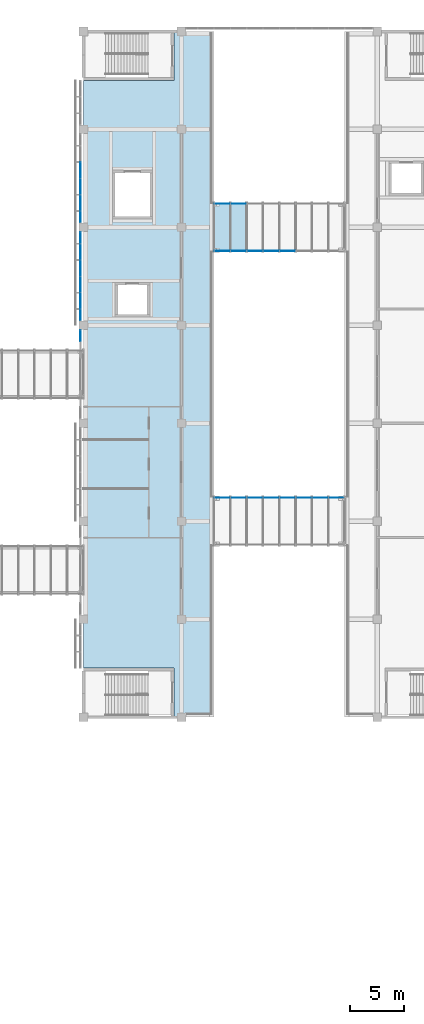
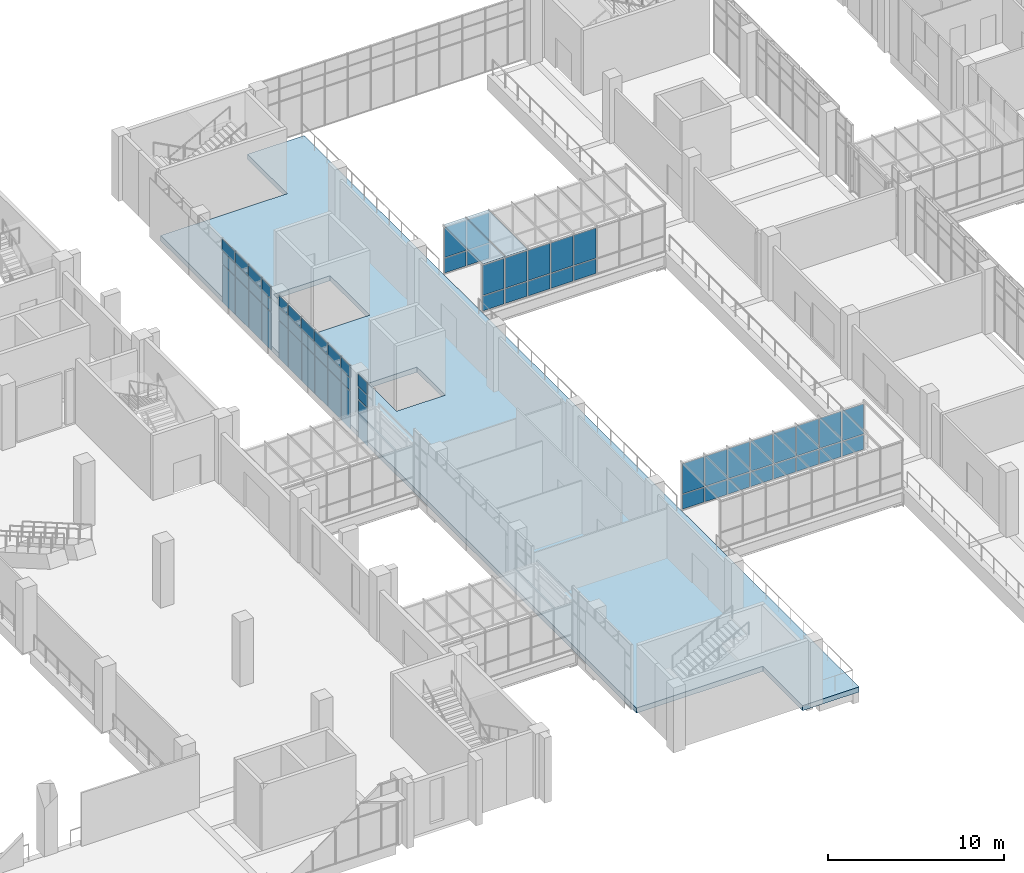
# One storey, part 46 of 88: 65 plates, 1 slab, 7 elements without a shape of their own.
"""IFC4 building model written with IfcOpenShell, lengths in metres."""

from ifc_helpers import new_model, si_unit, direction, frame, origin, origin_2d, place, context, subcontext, project, spatial, polyline, rectangle, outline, extrude, material, layer, layer_set, type_object, element, aggregate, save


model = new_model("IFC4")

# Units and contexts
model_context = context("Model", 3, precision=1e-05, world=origin(), true_north=direction((0.0, 1.0)))
body_context = subcontext(model_context, "Body", "Model", "MODEL_VIEW")
ifc_project = project(units=[si_unit("LENGTHUNIT", "METRE"), si_unit("AREAUNIT", "SQUARE_METRE"), si_unit("VOLUMEUNIT", "CUBIC_METRE"), si_unit("PLANEANGLEUNIT", "RADIAN"), si_unit("MASSUNIT", "GRAM", prefix="KILO")], contexts=[model_context])

# Site, building, storey
site_placement = place(None, origin())
site = spatial("IfcSite", under=ifc_project, at=site_placement, CompositionType="ELEMENT")
building_placement = place(site_placement, origin())
building = spatial("IfcBuilding", under=site, at=building_placement, Name="Guidao Yard Department Store", CompositionType="ELEMENT")
storey_placement = place(building_placement, frame((0.0, 0.0, 6.0)))
storey = spatial("IfcBuildingStorey", under=building, at=storey_placement, Name="L01", CompositionType="ELEMENT", Elevation=6.0)

# Curtain wall, plates
ifc_material_1 = material(Name="Aluminium and glass", Category="aluminium")
ifc_layer_1 = layer(ifc_material_1, 0.159912109375)
ifc_layer_set_1 = layer_set([ifc_layer_1], Name="Bridge glazing CW5 1500 module")
curtain_wall_type_1 = type_object("IfcCurtainWallType", Name="Bridge glazing CW5 1500 module", PredefinedType="NOTDEFINED", material=ifc_layer_set_1)
curtain_wall_1_placement = place(storey_placement, origin())
curtain_wall_1 = element("IfcCurtainWall", 1, at=curtain_wall_1_placement, inside=storey, type_object=curtain_wall_type_1, Name="Bridge roof glazing BR10", PredefinedType="NOTDEFINED")
ifc_material_2 = material(Name="Laminated glass", Category="glass")
ifc_layer_2 = layer(ifc_material_2, 0.017578125)
ifc_layer_set_2 = layer_set([ifc_layer_2], Name="Bridge roof glass BG1 laminated 8+8 fritted")
plate_type_1 = type_object("IfcPlateType", Name="Bridge roof glass BG1 laminated 8+8 fritted", PredefinedType="CURTAIN_PANEL", material=ifc_layer_set_2)
plate_1_placement = place(storey_placement, frame((84.75, 90.0, 3.34130859375), z_axis=(0.0, 0.0, 1.0), x_axis=(1.0, 0.0, 0.0)))
plate_1 = element("IfcPlate", 2, at=plate_1_placement, type_object=plate_type_1, Name="Bridge roof glass BR10", PredefinedType="CURTAIN_PANEL", context=body_context, shape_type="SweptSolid", body=[
    extrude(rectangle(XDim=1.43994140625, YDim=4.5, at=origin_2d()), origin(), (0.0, 0.0, 1.0), 0.017578125),
])
plate_2_placement = place(storey_placement, frame((86.25, 90.0, 3.34130859375), z_axis=(0.0, 0.0, 1.0), x_axis=(1.0, 0.0, 0.0)))
plate_2 = element("IfcPlate", 3, at=plate_2_placement, type_object=plate_type_1, Name="Bridge roof glass BR10", PredefinedType="CURTAIN_PANEL", context=body_context, shape_type="SweptSolid", body=[
    extrude(rectangle(XDim=1.43994140625, YDim=4.5, at=origin_2d()), origin(), (0.0, 0.0, 1.0), 0.017578125),
])
aggregate(curtain_wall_1, [plate_1, plate_2])

# Slab
ifc_material_3 = material(Name="Concrete C35", Category="concrete")
ifc_layer_3 = layer(ifc_material_3, 0.35009765625)
ifc_layer_set_3 = layer_set([ifc_layer_3], Name="Gallery floor slab 350 C35")
slab_type = type_object("IfcSlabType", Name="Gallery floor slab 350 C35", PredefinedType="FLOOR", material=ifc_layer_set_3)
slab_placement = place(storey_placement, frame((0.0, 0.0, -0.35009765625)))
element("IfcSlab", 4, at=slab_placement, inside=storey, type_object=slab_type, Name="Slab L01-W", PredefinedType="FLOOR", context=body_context, shape_type="SweptSolid", body=[
    extrude(outline(polyline([(80.300048828125, 103.5), (80.300048828125, 108.0), (81.0, 108.0), (84.0, 108.0), (84.0, 92.25), (84.0, 87.75), (84.0, 65.25), (84.0, 60.75), (84.0, 45.0), (81.0, 45.0), (80.300048828125, 45.0), (80.300048828125, 49.5), (72.0, 49.5), (72.0, 103.5), (80.300048828125, 103.5)]), holes=[polyline([(78.10009765625, 81.75), (78.10009765625, 84.949951171875), (74.89990234375, 84.949951171875), (74.89990234375, 81.75), (78.10009765625, 81.75)]), polyline([(78.35009765625, 90.75), (78.35009765625, 95.25), (74.64990234375, 95.25), (74.64990234375, 90.75), (78.35009765625, 90.75)])]), origin(), (0.0, 0.0, 1.0), 0.35009765625),
])

# Curtain wall, plate
ifc_material_4 = material(Name="Aluminium and glass", Category="aluminium")
ifc_layer_4 = layer(ifc_material_4, 0.159912109375)
ifc_layer_set_4 = layer_set([ifc_layer_4], Name="Shopfront curtain wall CW1 1500 module")
curtain_wall_type_2 = type_object("IfcCurtainWallType", Name="Shopfront curtain wall CW1 1500 module", PredefinedType="NOTDEFINED", material=ifc_layer_set_4)
curtain_wall_2_placement = place(storey_placement, origin())
curtain_wall_2 = element("IfcCurtainWall", 5, at=curtain_wall_2_placement, inside=storey, type_object=curtain_wall_type_2, Name="Arcade shop front", PredefinedType="NOTDEFINED")
ifc_material_5 = material(Name="Aluminium 6063-T5 faced insulated spandrel", Category="aluminium")
ifc_layer_5 = layer(ifc_material_5, 0.06005859375)
ifc_layer_set_5 = layer_set([ifc_layer_5], Name="Spandrel panel SP1 insulated opaque")
plate_type_2 = type_object("IfcPlateType", Name="Spandrel panel SP1 insulated opaque", PredefinedType="CURTAIN_PANEL", material=ifc_layer_set_5)
plate_3_placement = place(storey_placement, frame((71.719970703125, 80.034912109375, 3.6298828125), z_axis=(0.0, 0.0, 1.0), x_axis=(0.0, 1.0, 0.0)))
plate_3 = element("IfcPlate", 6, at=plate_3_placement, type_object=plate_type_2, Name="CW-AS-L01-08 panel 2.3", PredefinedType="CURTAIN_PANEL", context=body_context, shape_type="SweptSolid", body=[
    extrude(rectangle(XDim=1.010009765625, YDim=0.06005859375, at=origin_2d()), origin(), (0.0, 0.0, 1.0), 0.81005859375),
])

# Curtain wall, plates
curtain_wall_3_placement = place(storey_placement, origin())
curtain_wall_3 = element("IfcCurtainWall", 7, at=curtain_wall_3_placement, inside=storey, type_object=curtain_wall_type_2, Name="Arcade shop front", PredefinedType="NOTDEFINED")
plate_4_placement = place(storey_placement, frame((71.719970703125, 81.965087890625, 3.6298828125), z_axis=(0.0, 0.0, 1.0), x_axis=(0.0, 1.0, 0.0)))
plate_4 = element("IfcPlate", 8, at=plate_4_placement, type_object=plate_type_2, Name="CW-AS-L01-09 panel 1.3", PredefinedType="CURTAIN_PANEL", context=body_context, shape_type="SweptSolid", body=[
    extrude(rectangle(XDim=1.010009765625, YDim=0.06005859375, at=origin_2d()), origin(), (0.0, 0.0, 1.0), 0.81005859375),
])
plate_5_placement = place(storey_placement, frame((71.719970703125, 83.25, 3.6298828125), z_axis=(0.0, 0.0, 1.0), x_axis=(0.0, 1.0, 0.0)))
plate_5 = element("IfcPlate", 9, at=plate_5_placement, type_object=plate_type_2, Name="CW-AS-L01-09 panel 2.3", PredefinedType="CURTAIN_PANEL", context=body_context, shape_type="SweptSolid", body=[
    extrude(rectangle(XDim=1.43994140625, YDim=0.06005859375, at=origin_2d()), origin(), (0.0, 0.0, 1.0), 0.81005859375),
])
plate_6_placement = place(storey_placement, frame((71.719970703125, 84.75, 3.6298828125), z_axis=(0.0, 0.0, 1.0), x_axis=(0.0, 1.0, 0.0)))
plate_6 = element("IfcPlate", 10, at=plate_6_placement, type_object=plate_type_2, Name="CW-AS-L01-09 panel 3.3", PredefinedType="CURTAIN_PANEL", context=body_context, shape_type="SweptSolid", body=[
    extrude(rectangle(XDim=1.43994140625, YDim=0.06005859375, at=origin_2d()), origin(), (0.0, 0.0, 1.0), 0.81005859375),
])
plate_7_placement = place(storey_placement, frame((71.719970703125, 86.25, 3.6298828125), z_axis=(0.0, 0.0, 1.0), x_axis=(0.0, 1.0, 0.0)))
plate_7 = element("IfcPlate", 11, at=plate_7_placement, type_object=plate_type_2, Name="CW-AS-L01-09 panel 4.3", PredefinedType="CURTAIN_PANEL", context=body_context, shape_type="SweptSolid", body=[
    extrude(rectangle(XDim=1.43994140625, YDim=0.06005859375, at=origin_2d()), origin(), (0.0, 0.0, 1.0), 0.81005859375),
])
plate_8_placement = place(storey_placement, frame((71.719970703125, 87.75, 3.6298828125), z_axis=(0.0, 0.0, 1.0), x_axis=(0.0, 1.0, 0.0)))
plate_8 = element("IfcPlate", 12, at=plate_8_placement, type_object=plate_type_2, Name="CW-AS-L01-09 panel 5.3", PredefinedType="CURTAIN_PANEL", context=body_context, shape_type="SweptSolid", body=[
    extrude(rectangle(XDim=1.43994140625, YDim=0.06005859375, at=origin_2d()), origin(), (0.0, 0.0, 1.0), 0.81005859375),
])
plate_9_placement = place(storey_placement, frame((71.719970703125, 89.034912109375, 3.6298828125), z_axis=(0.0, 0.0, 1.0), x_axis=(0.0, 1.0, 0.0)))
plate_9 = element("IfcPlate", 13, at=plate_9_placement, type_object=plate_type_2, Name="CW-AS-L01-09 panel 6.3", PredefinedType="CURTAIN_PANEL", context=body_context, shape_type="SweptSolid", body=[
    extrude(rectangle(XDim=1.010009765625, YDim=0.06005859375, at=origin_2d()), origin(), (0.0, 0.0, 1.0), 0.81005859375),
])

curtain_wall_4_placement = place(storey_placement, origin())
curtain_wall_4 = element("IfcCurtainWall", 14, at=curtain_wall_4_placement, inside=storey, type_object=curtain_wall_type_2, Name="Arcade shop front", PredefinedType="NOTDEFINED")
plate_10_placement = place(storey_placement, frame((71.719970703125, 90.965087890625, 3.6298828125), z_axis=(0.0, 0.0, 1.0), x_axis=(0.0, 1.0, 0.0)))
plate_10 = element("IfcPlate", 15, at=plate_10_placement, type_object=plate_type_2, Name="CW-AS-L01-10 panel 1.3", PredefinedType="CURTAIN_PANEL", context=body_context, shape_type="SweptSolid", body=[
    extrude(rectangle(XDim=1.010009765625, YDim=0.06005859375, at=origin_2d()), origin(), (0.0, 0.0, 1.0), 0.81005859375),
])
plate_11_placement = place(storey_placement, frame((71.719970703125, 92.25, 3.6298828125), z_axis=(0.0, 0.0, 1.0), x_axis=(0.0, 1.0, 0.0)))
plate_11 = element("IfcPlate", 16, at=plate_11_placement, type_object=plate_type_2, Name="CW-AS-L01-10 panel 2.3", PredefinedType="CURTAIN_PANEL", context=body_context, shape_type="SweptSolid", body=[
    extrude(rectangle(XDim=1.43994140625, YDim=0.06005859375, at=origin_2d()), origin(), (0.0, 0.0, 1.0), 0.81005859375),
])
plate_12_placement = place(storey_placement, frame((71.719970703125, 93.75, 3.6298828125), z_axis=(0.0, 0.0, 1.0), x_axis=(0.0, 1.0, 0.0)))
plate_12 = element("IfcPlate", 17, at=plate_12_placement, type_object=plate_type_2, Name="CW-AS-L01-10 panel 3.3", PredefinedType="CURTAIN_PANEL", context=body_context, shape_type="SweptSolid", body=[
    extrude(rectangle(XDim=1.43994140625, YDim=0.06005859375, at=origin_2d()), origin(), (0.0, 0.0, 1.0), 0.81005859375),
])
plate_13_placement = place(storey_placement, frame((71.719970703125, 95.25, 3.6298828125), z_axis=(0.0, 0.0, 1.0), x_axis=(0.0, 1.0, 0.0)))
plate_13 = element("IfcPlate", 18, at=plate_13_placement, type_object=plate_type_2, Name="CW-AS-L01-10 panel 4.3", PredefinedType="CURTAIN_PANEL", context=body_context, shape_type="SweptSolid", body=[
    extrude(rectangle(XDim=1.43994140625, YDim=0.06005859375, at=origin_2d()), origin(), (0.0, 0.0, 1.0), 0.81005859375),
])

# Plate
ifc_material_6 = material(Name="Laminated heat-soaked tempered glass", Category="glass")
ifc_layer_6 = layer(ifc_material_6, 0.017578125)
ifc_layer_set_6 = layer_set([ifc_layer_6], Name="Vision glass VG1 laminated heat-soaked tempered 8+8")
plate_type_3 = type_object("IfcPlateType", Name="Vision glass VG1 laminated heat-soaked tempered 8+8", PredefinedType="CURTAIN_PANEL", material=ifc_layer_set_6)
plate_14_placement = place(storey_placement, frame((71.719970703125, 80.034912109375, 0.06005859375), z_axis=(0.0, 0.0, 1.0), x_axis=(0.0, 1.0, 0.0)))
plate_14 = element("IfcPlate", 19, at=plate_14_placement, type_object=plate_type_3, Name="CW-AS-L01-08 panel 2.1", PredefinedType="CURTAIN_PANEL", context=body_context, shape_type="SweptSolid", body=[
    extrude(rectangle(XDim=1.010009765625, YDim=0.017578125, at=origin_2d()), origin(), (0.0, 0.0, 1.0), 2.610107421875),
])

plate_15_placement = place(storey_placement, frame((71.719970703125, 80.034912109375, 2.72998046875), z_axis=(0.0, 0.0, 1.0), x_axis=(0.0, 1.0, 0.0)))
plate_15 = element("IfcPlate", 20, at=plate_15_placement, type_object=plate_type_3, Name="CW-AS-L01-08 panel 2.2", PredefinedType="CURTAIN_PANEL", context=body_context, shape_type="SweptSolid", body=[
    extrude(rectangle(XDim=1.010009765625, YDim=0.017578125, at=origin_2d()), origin(), (0.0, 0.0, 1.0), 0.840087890625),
])

aggregate(curtain_wall_2, [plate_14, plate_15, plate_3])

plate_16_placement = place(storey_placement, frame((71.719970703125, 81.965087890625, 0.06005859375), z_axis=(0.0, 0.0, 1.0), x_axis=(0.0, 1.0, 0.0)))
plate_16 = element("IfcPlate", 21, at=plate_16_placement, type_object=plate_type_3, Name="CW-AS-L01-09 panel 1.1", PredefinedType="CURTAIN_PANEL", context=body_context, shape_type="SweptSolid", body=[
    extrude(rectangle(XDim=1.010009765625, YDim=0.017578125, at=origin_2d()), origin(), (0.0, 0.0, 1.0), 2.610107421875),
])

plate_17_placement = place(storey_placement, frame((71.719970703125, 81.965087890625, 2.72998046875), z_axis=(0.0, 0.0, 1.0), x_axis=(0.0, 1.0, 0.0)))
plate_17 = element("IfcPlate", 22, at=plate_17_placement, type_object=plate_type_3, Name="CW-AS-L01-09 panel 1.2", PredefinedType="CURTAIN_PANEL", context=body_context, shape_type="SweptSolid", body=[
    extrude(rectangle(XDim=1.010009765625, YDim=0.017578125, at=origin_2d()), origin(), (0.0, 0.0, 1.0), 0.840087890625),
])

plate_18_placement = place(storey_placement, frame((71.719970703125, 83.25, 0.06005859375), z_axis=(0.0, 0.0, 1.0), x_axis=(0.0, 1.0, 0.0)))
plate_18 = element("IfcPlate", 23, at=plate_18_placement, type_object=plate_type_3, Name="CW-AS-L01-09 panel 2.1", PredefinedType="CURTAIN_PANEL", context=body_context, shape_type="SweptSolid", body=[
    extrude(rectangle(XDim=1.43994140625, YDim=0.017578125, at=origin_2d()), origin(), (0.0, 0.0, 1.0), 2.610107421875),
])

plate_19_placement = place(storey_placement, frame((71.719970703125, 83.25, 2.72998046875), z_axis=(0.0, 0.0, 1.0), x_axis=(0.0, 1.0, 0.0)))
plate_19 = element("IfcPlate", 24, at=plate_19_placement, type_object=plate_type_3, Name="CW-AS-L01-09 panel 2.2", PredefinedType="CURTAIN_PANEL", context=body_context, shape_type="SweptSolid", body=[
    extrude(rectangle(XDim=1.43994140625, YDim=0.017578125, at=origin_2d()), origin(), (0.0, 0.0, 1.0), 0.840087890625),
])

plate_20_placement = place(storey_placement, frame((71.719970703125, 84.75, 0.06005859375), z_axis=(0.0, 0.0, 1.0), x_axis=(0.0, 1.0, 0.0)))
plate_20 = element("IfcPlate", 25, at=plate_20_placement, type_object=plate_type_3, Name="CW-AS-L01-09 panel 3.1", PredefinedType="CURTAIN_PANEL", context=body_context, shape_type="SweptSolid", body=[
    extrude(rectangle(XDim=1.43994140625, YDim=0.017578125, at=origin_2d()), origin(), (0.0, 0.0, 1.0), 2.610107421875),
])

plate_21_placement = place(storey_placement, frame((71.719970703125, 84.75, 2.72998046875), z_axis=(0.0, 0.0, 1.0), x_axis=(0.0, 1.0, 0.0)))
plate_21 = element("IfcPlate", 26, at=plate_21_placement, type_object=plate_type_3, Name="CW-AS-L01-09 panel 3.2", PredefinedType="CURTAIN_PANEL", context=body_context, shape_type="SweptSolid", body=[
    extrude(rectangle(XDim=1.43994140625, YDim=0.017578125, at=origin_2d()), origin(), (0.0, 0.0, 1.0), 0.840087890625),
])

plate_22_placement = place(storey_placement, frame((71.719970703125, 86.25, 0.06005859375), z_axis=(0.0, 0.0, 1.0), x_axis=(0.0, 1.0, 0.0)))
plate_22 = element("IfcPlate", 27, at=plate_22_placement, type_object=plate_type_3, Name="CW-AS-L01-09 panel 4.1", PredefinedType="CURTAIN_PANEL", context=body_context, shape_type="SweptSolid", body=[
    extrude(rectangle(XDim=1.43994140625, YDim=0.017578125, at=origin_2d()), origin(), (0.0, 0.0, 1.0), 2.610107421875),
])

plate_23_placement = place(storey_placement, frame((71.719970703125, 86.25, 2.72998046875), z_axis=(0.0, 0.0, 1.0), x_axis=(0.0, 1.0, 0.0)))
plate_23 = element("IfcPlate", 28, at=plate_23_placement, type_object=plate_type_3, Name="CW-AS-L01-09 panel 4.2", PredefinedType="CURTAIN_PANEL", context=body_context, shape_type="SweptSolid", body=[
    extrude(rectangle(XDim=1.43994140625, YDim=0.017578125, at=origin_2d()), origin(), (0.0, 0.0, 1.0), 0.840087890625),
])

plate_24_placement = place(storey_placement, frame((71.719970703125, 87.75, 0.06005859375), z_axis=(0.0, 0.0, 1.0), x_axis=(0.0, 1.0, 0.0)))
plate_24 = element("IfcPlate", 29, at=plate_24_placement, type_object=plate_type_3, Name="CW-AS-L01-09 panel 5.1", PredefinedType="CURTAIN_PANEL", context=body_context, shape_type="SweptSolid", body=[
    extrude(rectangle(XDim=1.43994140625, YDim=0.017578125, at=origin_2d()), origin(), (0.0, 0.0, 1.0), 2.610107421875),
])

plate_25_placement = place(storey_placement, frame((71.719970703125, 87.75, 2.72998046875), z_axis=(0.0, 0.0, 1.0), x_axis=(0.0, 1.0, 0.0)))
plate_25 = element("IfcPlate", 30, at=plate_25_placement, type_object=plate_type_3, Name="CW-AS-L01-09 panel 5.2", PredefinedType="CURTAIN_PANEL", context=body_context, shape_type="SweptSolid", body=[
    extrude(rectangle(XDim=1.43994140625, YDim=0.017578125, at=origin_2d()), origin(), (0.0, 0.0, 1.0), 0.840087890625),
])

plate_26_placement = place(storey_placement, frame((71.719970703125, 89.034912109375, 0.06005859375), z_axis=(0.0, 0.0, 1.0), x_axis=(0.0, 1.0, 0.0)))
plate_26 = element("IfcPlate", 31, at=plate_26_placement, type_object=plate_type_3, Name="CW-AS-L01-09 panel 6.1", PredefinedType="CURTAIN_PANEL", context=body_context, shape_type="SweptSolid", body=[
    extrude(rectangle(XDim=1.010009765625, YDim=0.017578125, at=origin_2d()), origin(), (0.0, 0.0, 1.0), 2.610107421875),
])

plate_27_placement = place(storey_placement, frame((71.719970703125, 89.034912109375, 2.72998046875), z_axis=(0.0, 0.0, 1.0), x_axis=(0.0, 1.0, 0.0)))
plate_27 = element("IfcPlate", 32, at=plate_27_placement, type_object=plate_type_3, Name="CW-AS-L01-09 panel 6.2", PredefinedType="CURTAIN_PANEL", context=body_context, shape_type="SweptSolid", body=[
    extrude(rectangle(XDim=1.010009765625, YDim=0.017578125, at=origin_2d()), origin(), (0.0, 0.0, 1.0), 0.840087890625),
])

aggregate(curtain_wall_3, [plate_16, plate_17, plate_4, plate_18, plate_19, plate_5, plate_20, plate_21, plate_6, plate_22, plate_23, plate_7, plate_24, plate_25, plate_8, plate_26, plate_27, plate_9])

plate_28_placement = place(storey_placement, frame((71.719970703125, 90.965087890625, 0.06005859375), z_axis=(0.0, 0.0, 1.0), x_axis=(0.0, 1.0, 0.0)))
plate_28 = element("IfcPlate", 33, at=plate_28_placement, type_object=plate_type_3, Name="CW-AS-L01-10 panel 1.1", PredefinedType="CURTAIN_PANEL", context=body_context, shape_type="SweptSolid", body=[
    extrude(rectangle(XDim=1.010009765625, YDim=0.017578125, at=origin_2d()), origin(), (0.0, 0.0, 1.0), 2.610107421875),
])

plate_29_placement = place(storey_placement, frame((71.719970703125, 90.965087890625, 2.72998046875), z_axis=(0.0, 0.0, 1.0), x_axis=(0.0, 1.0, 0.0)))
plate_29 = element("IfcPlate", 34, at=plate_29_placement, type_object=plate_type_3, Name="CW-AS-L01-10 panel 1.2", PredefinedType="CURTAIN_PANEL", context=body_context, shape_type="SweptSolid", body=[
    extrude(rectangle(XDim=1.010009765625, YDim=0.017578125, at=origin_2d()), origin(), (0.0, 0.0, 1.0), 0.840087890625),
])

plate_30_placement = place(storey_placement, frame((71.719970703125, 92.25, 0.06005859375), z_axis=(0.0, 0.0, 1.0), x_axis=(0.0, 1.0, 0.0)))
plate_30 = element("IfcPlate", 35, at=plate_30_placement, type_object=plate_type_3, Name="CW-AS-L01-10 panel 2.1", PredefinedType="CURTAIN_PANEL", context=body_context, shape_type="SweptSolid", body=[
    extrude(rectangle(XDim=1.43994140625, YDim=0.017578125, at=origin_2d()), origin(), (0.0, 0.0, 1.0), 2.610107421875),
])

plate_31_placement = place(storey_placement, frame((71.719970703125, 92.25, 2.72998046875), z_axis=(0.0, 0.0, 1.0), x_axis=(0.0, 1.0, 0.0)))
plate_31 = element("IfcPlate", 36, at=plate_31_placement, type_object=plate_type_3, Name="CW-AS-L01-10 panel 2.2", PredefinedType="CURTAIN_PANEL", context=body_context, shape_type="SweptSolid", body=[
    extrude(rectangle(XDim=1.43994140625, YDim=0.017578125, at=origin_2d()), origin(), (0.0, 0.0, 1.0), 0.840087890625),
])

plate_32_placement = place(storey_placement, frame((71.719970703125, 93.75, 0.06005859375), z_axis=(0.0, 0.0, 1.0), x_axis=(0.0, 1.0, 0.0)))
plate_32 = element("IfcPlate", 37, at=plate_32_placement, type_object=plate_type_3, Name="CW-AS-L01-10 panel 3.1", PredefinedType="CURTAIN_PANEL", context=body_context, shape_type="SweptSolid", body=[
    extrude(rectangle(XDim=1.43994140625, YDim=0.017578125, at=origin_2d()), origin(), (0.0, 0.0, 1.0), 2.610107421875),
])

plate_33_placement = place(storey_placement, frame((71.719970703125, 93.75, 2.72998046875), z_axis=(0.0, 0.0, 1.0), x_axis=(0.0, 1.0, 0.0)))
plate_33 = element("IfcPlate", 38, at=plate_33_placement, type_object=plate_type_3, Name="CW-AS-L01-10 panel 3.2", PredefinedType="CURTAIN_PANEL", context=body_context, shape_type="SweptSolid", body=[
    extrude(rectangle(XDim=1.43994140625, YDim=0.017578125, at=origin_2d()), origin(), (0.0, 0.0, 1.0), 0.840087890625),
])

plate_34_placement = place(storey_placement, frame((71.719970703125, 95.25, 0.06005859375), z_axis=(0.0, 0.0, 1.0), x_axis=(0.0, 1.0, 0.0)))
plate_34 = element("IfcPlate", 39, at=plate_34_placement, type_object=plate_type_3, Name="CW-AS-L01-10 panel 4.1", PredefinedType="CURTAIN_PANEL", context=body_context, shape_type="SweptSolid", body=[
    extrude(rectangle(XDim=1.43994140625, YDim=0.017578125, at=origin_2d()), origin(), (0.0, 0.0, 1.0), 2.610107421875),
])

plate_35_placement = place(storey_placement, frame((71.719970703125, 95.25, 2.72998046875), z_axis=(0.0, 0.0, 1.0), x_axis=(0.0, 1.0, 0.0)))
plate_35 = element("IfcPlate", 40, at=plate_35_placement, type_object=plate_type_3, Name="CW-AS-L01-10 panel 4.2", PredefinedType="CURTAIN_PANEL", context=body_context, shape_type="SweptSolid", body=[
    extrude(rectangle(XDim=1.43994140625, YDim=0.017578125, at=origin_2d()), origin(), (0.0, 0.0, 1.0), 0.840087890625),
])

aggregate(curtain_wall_4, [plate_28, plate_29, plate_10, plate_30, plate_31, plate_11, plate_32, plate_33, plate_12, plate_34, plate_35, plate_13])

# Curtain wall, plates
curtain_wall_5_placement = place(storey_placement, origin())
curtain_wall_5 = element("IfcCurtainWall", 41, at=curtain_wall_5_placement, inside=storey, type_object=curtain_wall_type_1, Name="Bridge glazing BR09 N", PredefinedType="NOTDEFINED")
plate_36_placement = place(storey_placement, frame((84.764892578125, 65.169921875, 0.06005859375), z_axis=(0.0, 0.0, 1.0), x_axis=(1.0, 0.0, 0.0)))
plate_36 = element("IfcPlate", 42, at=plate_36_placement, type_object=plate_type_3, Name="CW-N-L01-10 panel 1.1", PredefinedType="CURTAIN_PANEL", context=body_context, shape_type="SweptSolid", body=[
    extrude(rectangle(XDim=1.409912109375, YDim=0.017578125, at=origin_2d()), origin(), (0.0, 0.0, 1.0), 1.010009765625),
])
plate_37_placement = place(storey_placement, frame((84.764892578125, 65.169921875, 1.1298828125), z_axis=(0.0, 0.0, 1.0), x_axis=(1.0, 0.0, 0.0)))
plate_37 = element("IfcPlate", 43, at=plate_37_placement, type_object=plate_type_3, Name="CW-N-L01-10 panel 1.2", PredefinedType="CURTAIN_PANEL", context=body_context, shape_type="SweptSolid", body=[
    extrude(rectangle(XDim=1.409912109375, YDim=0.017578125, at=origin_2d()), origin(), (0.0, 0.0, 1.0), 2.080078125),
])
plate_38_placement = place(storey_placement, frame((86.25, 65.169921875, 0.06005859375), z_axis=(0.0, 0.0, 1.0), x_axis=(1.0, 0.0, 0.0)))
plate_38 = element("IfcPlate", 44, at=plate_38_placement, type_object=plate_type_3, Name="CW-N-L01-10 panel 2.1", PredefinedType="CURTAIN_PANEL", context=body_context, shape_type="SweptSolid", body=[
    extrude(rectangle(XDim=1.43994140625, YDim=0.017578125, at=origin_2d()), origin(), (0.0, 0.0, 1.0), 1.010009765625),
])
plate_39_placement = place(storey_placement, frame((86.25, 65.169921875, 1.1298828125), z_axis=(0.0, 0.0, 1.0), x_axis=(1.0, 0.0, 0.0)))
plate_39 = element("IfcPlate", 45, at=plate_39_placement, type_object=plate_type_3, Name="CW-N-L01-10 panel 2.2", PredefinedType="CURTAIN_PANEL", context=body_context, shape_type="SweptSolid", body=[
    extrude(rectangle(XDim=1.43994140625, YDim=0.017578125, at=origin_2d()), origin(), (0.0, 0.0, 1.0), 2.080078125),
])
plate_40_placement = place(storey_placement, frame((87.75, 65.169921875, 0.06005859375), z_axis=(0.0, 0.0, 1.0), x_axis=(1.0, 0.0, 0.0)))
plate_40 = element("IfcPlate", 46, at=plate_40_placement, type_object=plate_type_3, Name="CW-N-L01-10 panel 3.1", PredefinedType="CURTAIN_PANEL", context=body_context, shape_type="SweptSolid", body=[
    extrude(rectangle(XDim=1.43994140625, YDim=0.017578125, at=origin_2d()), origin(), (0.0, 0.0, 1.0), 1.010009765625),
])
plate_41_placement = place(storey_placement, frame((87.75, 65.169921875, 1.1298828125), z_axis=(0.0, 0.0, 1.0), x_axis=(1.0, 0.0, 0.0)))
plate_41 = element("IfcPlate", 47, at=plate_41_placement, type_object=plate_type_3, Name="CW-N-L01-10 panel 3.2", PredefinedType="CURTAIN_PANEL", context=body_context, shape_type="SweptSolid", body=[
    extrude(rectangle(XDim=1.43994140625, YDim=0.017578125, at=origin_2d()), origin(), (0.0, 0.0, 1.0), 2.080078125),
])
plate_42_placement = place(storey_placement, frame((89.25, 65.169921875, 0.06005859375), z_axis=(0.0, 0.0, 1.0), x_axis=(1.0, 0.0, 0.0)))
plate_42 = element("IfcPlate", 48, at=plate_42_placement, type_object=plate_type_3, Name="CW-N-L01-10 panel 4.1", PredefinedType="CURTAIN_PANEL", context=body_context, shape_type="SweptSolid", body=[
    extrude(rectangle(XDim=1.43994140625, YDim=0.017578125, at=origin_2d()), origin(), (0.0, 0.0, 1.0), 1.010009765625),
])
plate_43_placement = place(storey_placement, frame((89.25, 65.169921875, 1.1298828125), z_axis=(0.0, 0.0, 1.0), x_axis=(1.0, 0.0, 0.0)))
plate_43 = element("IfcPlate", 49, at=plate_43_placement, type_object=plate_type_3, Name="CW-N-L01-10 panel 4.2", PredefinedType="CURTAIN_PANEL", context=body_context, shape_type="SweptSolid", body=[
    extrude(rectangle(XDim=1.43994140625, YDim=0.017578125, at=origin_2d()), origin(), (0.0, 0.0, 1.0), 2.080078125),
])
plate_44_placement = place(storey_placement, frame((90.75, 65.169921875, 0.06005859375), z_axis=(0.0, 0.0, 1.0), x_axis=(1.0, 0.0, 0.0)))
plate_44 = element("IfcPlate", 50, at=plate_44_placement, type_object=plate_type_3, Name="CW-N-L01-10 panel 5.1", PredefinedType="CURTAIN_PANEL", context=body_context, shape_type="SweptSolid", body=[
    extrude(rectangle(XDim=1.43994140625, YDim=0.017578125, at=origin_2d()), origin(), (0.0, 0.0, 1.0), 1.010009765625),
])
plate_45_placement = place(storey_placement, frame((90.75, 65.169921875, 1.1298828125), z_axis=(0.0, 0.0, 1.0), x_axis=(1.0, 0.0, 0.0)))
plate_45 = element("IfcPlate", 51, at=plate_45_placement, type_object=plate_type_3, Name="CW-N-L01-10 panel 5.2", PredefinedType="CURTAIN_PANEL", context=body_context, shape_type="SweptSolid", body=[
    extrude(rectangle(XDim=1.43994140625, YDim=0.017578125, at=origin_2d()), origin(), (0.0, 0.0, 1.0), 2.080078125),
])
plate_46_placement = place(storey_placement, frame((92.25, 65.169921875, 0.06005859375), z_axis=(0.0, 0.0, 1.0), x_axis=(1.0, 0.0, 0.0)))
plate_46 = element("IfcPlate", 52, at=plate_46_placement, type_object=plate_type_3, Name="CW-N-L01-10 panel 6.1", PredefinedType="CURTAIN_PANEL", context=body_context, shape_type="SweptSolid", body=[
    extrude(rectangle(XDim=1.43994140625, YDim=0.017578125, at=origin_2d()), origin(), (0.0, 0.0, 1.0), 1.010009765625),
])
plate_47_placement = place(storey_placement, frame((92.25, 65.169921875, 1.1298828125), z_axis=(0.0, 0.0, 1.0), x_axis=(1.0, 0.0, 0.0)))
plate_47 = element("IfcPlate", 53, at=plate_47_placement, type_object=plate_type_3, Name="CW-N-L01-10 panel 6.2", PredefinedType="CURTAIN_PANEL", context=body_context, shape_type="SweptSolid", body=[
    extrude(rectangle(XDim=1.43994140625, YDim=0.017578125, at=origin_2d()), origin(), (0.0, 0.0, 1.0), 2.080078125),
])
plate_48_placement = place(storey_placement, frame((93.75, 65.169921875, 0.06005859375), z_axis=(0.0, 0.0, 1.0), x_axis=(1.0, 0.0, 0.0)))
plate_48 = element("IfcPlate", 54, at=plate_48_placement, type_object=plate_type_3, Name="CW-N-L01-10 panel 7.1", PredefinedType="CURTAIN_PANEL", context=body_context, shape_type="SweptSolid", body=[
    extrude(rectangle(XDim=1.43994140625, YDim=0.017578125, at=origin_2d()), origin(), (0.0, 0.0, 1.0), 1.010009765625),
])
plate_49_placement = place(storey_placement, frame((93.75, 65.169921875, 1.1298828125), z_axis=(0.0, 0.0, 1.0), x_axis=(1.0, 0.0, 0.0)))
plate_49 = element("IfcPlate", 55, at=plate_49_placement, type_object=plate_type_3, Name="CW-N-L01-10 panel 7.2", PredefinedType="CURTAIN_PANEL", context=body_context, shape_type="SweptSolid", body=[
    extrude(rectangle(XDim=1.43994140625, YDim=0.017578125, at=origin_2d()), origin(), (0.0, 0.0, 1.0), 2.080078125),
])
plate_50_placement = place(storey_placement, frame((95.2275390625, 65.169921875, 0.06005859375), z_axis=(0.0, 0.0, 1.0), x_axis=(1.0, 0.0, 0.0)))
plate_50 = element("IfcPlate", 56, at=plate_50_placement, type_object=plate_type_3, Name="CW-N-L01-10 panel 8.1", PredefinedType="CURTAIN_PANEL", context=body_context, shape_type="SweptSolid", body=[
    extrude(rectangle(XDim=1.39501953125, YDim=0.017578125, at=origin_2d()), origin(), (0.0, 0.0, 1.0), 1.010009765625),
])
plate_51_placement = place(storey_placement, frame((95.2275390625, 65.169921875, 1.1298828125), z_axis=(0.0, 0.0, 1.0), x_axis=(1.0, 0.0, 0.0)))
plate_51 = element("IfcPlate", 57, at=plate_51_placement, type_object=plate_type_3, Name="CW-N-L01-10 panel 8.2", PredefinedType="CURTAIN_PANEL", context=body_context, shape_type="SweptSolid", body=[
    extrude(rectangle(XDim=1.39501953125, YDim=0.017578125, at=origin_2d()), origin(), (0.0, 0.0, 1.0), 2.080078125),
])
aggregate(curtain_wall_5, [plate_36, plate_37, plate_38, plate_39, plate_40, plate_41, plate_42, plate_43, plate_44, plate_45, plate_46, plate_47, plate_48, plate_49, plate_50, plate_51])

curtain_wall_6_placement = place(storey_placement, origin())
curtain_wall_6 = element("IfcCurtainWall", 58, at=curtain_wall_6_placement, inside=storey, type_object=curtain_wall_type_1, Name="Bridge glazing BR10 S", PredefinedType="NOTDEFINED")
plate_52_placement = place(storey_placement, frame((84.764892578125, 87.830078125, 0.06005859375), z_axis=(0.0, 0.0, 1.0), x_axis=(-1.0, 0.0, 0.0)))
plate_52 = element("IfcPlate", 59, at=plate_52_placement, type_object=plate_type_3, Name="CW-S-L01-11 panel 1.1", PredefinedType="CURTAIN_PANEL", context=body_context, shape_type="SweptSolid", body=[
    extrude(rectangle(XDim=1.409912109375, YDim=0.017578125, at=origin_2d()), origin(), (0.0, 0.0, 1.0), 1.010009765625),
])
plate_53_placement = place(storey_placement, frame((84.764892578125, 87.830078125, 1.1298828125), z_axis=(0.0, 0.0, 1.0), x_axis=(-1.0, 0.0, 0.0)))
plate_53 = element("IfcPlate", 60, at=plate_53_placement, type_object=plate_type_3, Name="CW-S-L01-11 panel 1.2", PredefinedType="CURTAIN_PANEL", context=body_context, shape_type="SweptSolid", body=[
    extrude(rectangle(XDim=1.409912109375, YDim=0.017578125, at=origin_2d()), origin(), (0.0, 0.0, 1.0), 2.080078125),
])
plate_54_placement = place(storey_placement, frame((86.25, 87.830078125, 0.06005859375), z_axis=(0.0, 0.0, 1.0), x_axis=(-1.0, 0.0, 0.0)))
plate_54 = element("IfcPlate", 61, at=plate_54_placement, type_object=plate_type_3, Name="CW-S-L01-11 panel 2.1", PredefinedType="CURTAIN_PANEL", context=body_context, shape_type="SweptSolid", body=[
    extrude(rectangle(XDim=1.43994140625, YDim=0.017578125, at=origin_2d()), origin(), (0.0, 0.0, 1.0), 1.010009765625),
])
plate_55_placement = place(storey_placement, frame((86.25, 87.830078125, 1.1298828125), z_axis=(0.0, 0.0, 1.0), x_axis=(-1.0, 0.0, 0.0)))
plate_55 = element("IfcPlate", 62, at=plate_55_placement, type_object=plate_type_3, Name="CW-S-L01-11 panel 2.2", PredefinedType="CURTAIN_PANEL", context=body_context, shape_type="SweptSolid", body=[
    extrude(rectangle(XDim=1.43994140625, YDim=0.017578125, at=origin_2d()), origin(), (0.0, 0.0, 1.0), 2.080078125),
])
plate_56_placement = place(storey_placement, frame((87.75, 87.830078125, 0.06005859375), z_axis=(0.0, 0.0, 1.0), x_axis=(-1.0, 0.0, 0.0)))
plate_56 = element("IfcPlate", 63, at=plate_56_placement, type_object=plate_type_3, Name="CW-S-L01-11 panel 3.1", PredefinedType="CURTAIN_PANEL", context=body_context, shape_type="SweptSolid", body=[
    extrude(rectangle(XDim=1.43994140625, YDim=0.017578125, at=origin_2d()), origin(), (0.0, 0.0, 1.0), 1.010009765625),
])
plate_57_placement = place(storey_placement, frame((87.75, 87.830078125, 1.1298828125), z_axis=(0.0, 0.0, 1.0), x_axis=(-1.0, 0.0, 0.0)))
plate_57 = element("IfcPlate", 64, at=plate_57_placement, type_object=plate_type_3, Name="CW-S-L01-11 panel 3.2", PredefinedType="CURTAIN_PANEL", context=body_context, shape_type="SweptSolid", body=[
    extrude(rectangle(XDim=1.43994140625, YDim=0.017578125, at=origin_2d()), origin(), (0.0, 0.0, 1.0), 2.080078125),
])
plate_58_placement = place(storey_placement, frame((89.25, 87.830078125, 0.06005859375), z_axis=(0.0, 0.0, 1.0), x_axis=(-1.0, 0.0, 0.0)))
plate_58 = element("IfcPlate", 65, at=plate_58_placement, type_object=plate_type_3, Name="CW-S-L01-11 panel 4.1", PredefinedType="CURTAIN_PANEL", context=body_context, shape_type="SweptSolid", body=[
    extrude(rectangle(XDim=1.43994140625, YDim=0.017578125, at=origin_2d()), origin(), (0.0, 0.0, 1.0), 1.010009765625),
])
plate_59_placement = place(storey_placement, frame((89.25, 87.830078125, 1.1298828125), z_axis=(0.0, 0.0, 1.0), x_axis=(-1.0, 0.0, 0.0)))
plate_59 = element("IfcPlate", 66, at=plate_59_placement, type_object=plate_type_3, Name="CW-S-L01-11 panel 4.2", PredefinedType="CURTAIN_PANEL", context=body_context, shape_type="SweptSolid", body=[
    extrude(rectangle(XDim=1.43994140625, YDim=0.017578125, at=origin_2d()), origin(), (0.0, 0.0, 1.0), 2.080078125),
])
plate_60_placement = place(storey_placement, frame((90.75, 87.830078125, 0.06005859375), z_axis=(0.0, 0.0, 1.0), x_axis=(-1.0, 0.0, 0.0)))
plate_60 = element("IfcPlate", 67, at=plate_60_placement, type_object=plate_type_3, Name="CW-S-L01-11 panel 5.1", PredefinedType="CURTAIN_PANEL", context=body_context, shape_type="SweptSolid", body=[
    extrude(rectangle(XDim=1.43994140625, YDim=0.017578125, at=origin_2d()), origin(), (0.0, 0.0, 1.0), 1.010009765625),
])
plate_61_placement = place(storey_placement, frame((90.75, 87.830078125, 1.1298828125), z_axis=(0.0, 0.0, 1.0), x_axis=(-1.0, 0.0, 0.0)))
plate_61 = element("IfcPlate", 68, at=plate_61_placement, type_object=plate_type_3, Name="CW-S-L01-11 panel 5.2", PredefinedType="CURTAIN_PANEL", context=body_context, shape_type="SweptSolid", body=[
    extrude(rectangle(XDim=1.43994140625, YDim=0.017578125, at=origin_2d()), origin(), (0.0, 0.0, 1.0), 2.080078125),
])
aggregate(curtain_wall_6, [plate_52, plate_53, plate_54, plate_55, plate_56, plate_57, plate_58, plate_59, plate_60, plate_61])

curtain_wall_7_placement = place(storey_placement, origin())
curtain_wall_7 = element("IfcCurtainWall", 69, at=curtain_wall_7_placement, inside=storey, type_object=curtain_wall_type_1, Name="Bridge glazing BR10 N", PredefinedType="NOTDEFINED")
plate_62_placement = place(storey_placement, frame((84.764892578125, 92.169921875, 0.06005859375), z_axis=(0.0, 0.0, 1.0), x_axis=(1.0, 0.0, 0.0)))
plate_62 = element("IfcPlate", 70, at=plate_62_placement, type_object=plate_type_3, Name="CW-N-L01-12 panel 1.1", PredefinedType="CURTAIN_PANEL", context=body_context, shape_type="SweptSolid", body=[
    extrude(rectangle(XDim=1.409912109375, YDim=0.017578125, at=origin_2d()), origin(), (0.0, 0.0, 1.0), 1.010009765625),
])
plate_63_placement = place(storey_placement, frame((84.764892578125, 92.169921875, 1.1298828125), z_axis=(0.0, 0.0, 1.0), x_axis=(1.0, 0.0, 0.0)))
plate_63 = element("IfcPlate", 71, at=plate_63_placement, type_object=plate_type_3, Name="CW-N-L01-12 panel 1.2", PredefinedType="CURTAIN_PANEL", context=body_context, shape_type="SweptSolid", body=[
    extrude(rectangle(XDim=1.409912109375, YDim=0.017578125, at=origin_2d()), origin(), (0.0, 0.0, 1.0), 2.080078125),
])
plate_64_placement = place(storey_placement, frame((86.25, 92.169921875, 0.06005859375), z_axis=(0.0, 0.0, 1.0), x_axis=(1.0, 0.0, 0.0)))
plate_64 = element("IfcPlate", 72, at=plate_64_placement, type_object=plate_type_3, Name="CW-N-L01-12 panel 2.1", PredefinedType="CURTAIN_PANEL", context=body_context, shape_type="SweptSolid", body=[
    extrude(rectangle(XDim=1.43994140625, YDim=0.017578125, at=origin_2d()), origin(), (0.0, 0.0, 1.0), 1.010009765625),
])
plate_65_placement = place(storey_placement, frame((86.25, 92.169921875, 1.1298828125), z_axis=(0.0, 0.0, 1.0), x_axis=(1.0, 0.0, 0.0)))
plate_65 = element("IfcPlate", 73, at=plate_65_placement, type_object=plate_type_3, Name="CW-N-L01-12 panel 2.2", PredefinedType="CURTAIN_PANEL", context=body_context, shape_type="SweptSolid", body=[
    extrude(rectangle(XDim=1.43994140625, YDim=0.017578125, at=origin_2d()), origin(), (0.0, 0.0, 1.0), 2.080078125),
])
aggregate(curtain_wall_7, [plate_62, plate_63, plate_64, plate_65])

save(model, "model.ifc")
